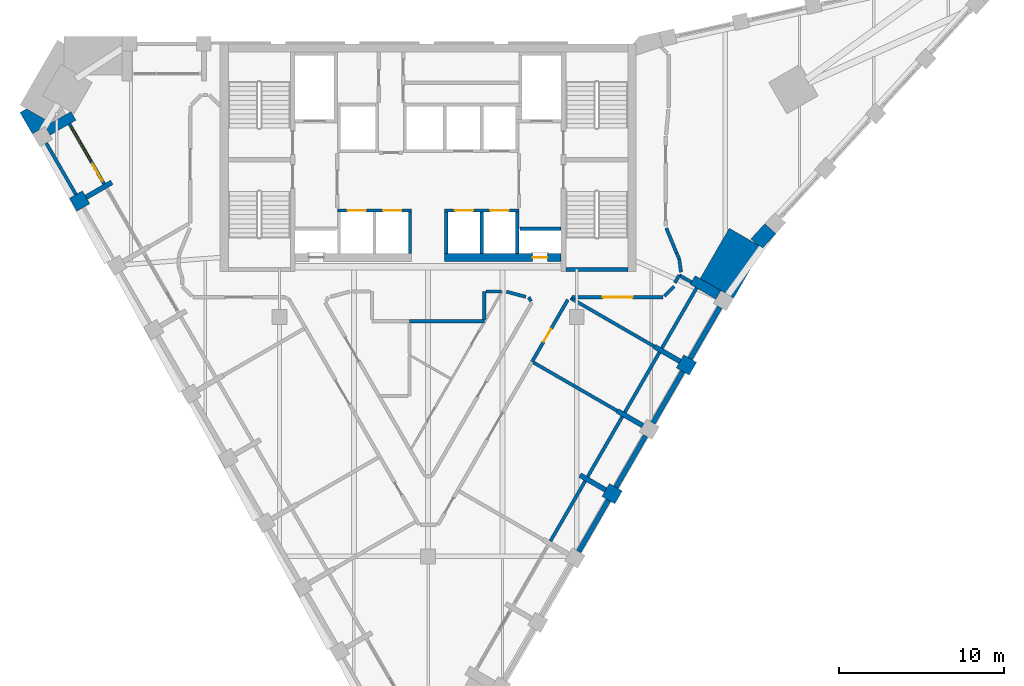
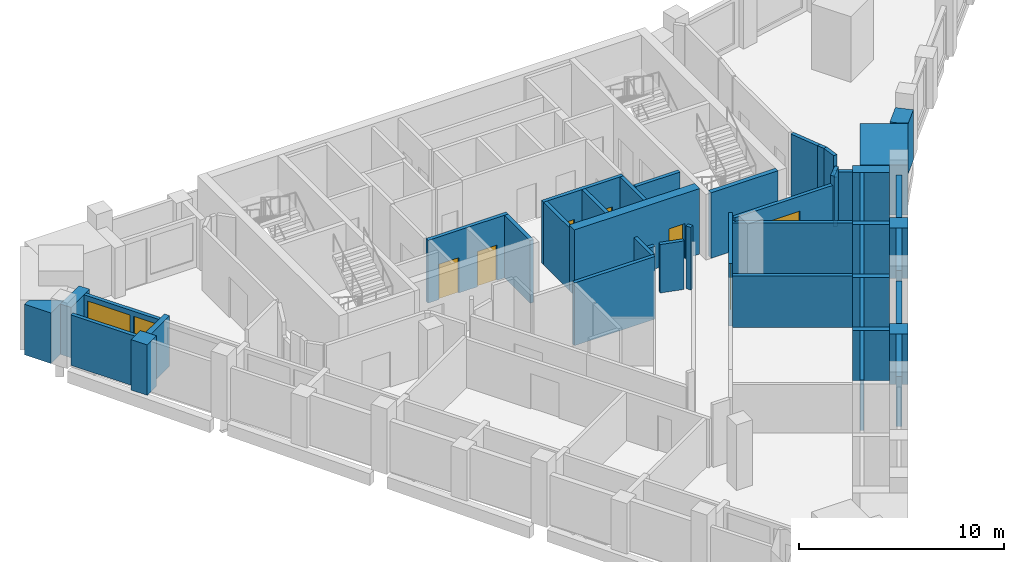
# One storey, part 4 of 8: 46 walls, 8 doors, 1 window, 9 openings.
"""IFC4 building model written with IfcOpenShell, lengths in metres."""

from ifc_helpers import new_model, si_unit, direction, frame, frame_2d, origin, place, context, subcontext, project, spatial, polyline, rectangle, outline, extrude, material, layer, layer_set, type_object, element, fill, save


model = new_model("IFC4")

# Units and contexts
model_context = context("Model", 3, precision=1e-05, world=origin(), true_north=direction((0.0, 1.0)))
body_context = subcontext(model_context, "Body", "Model", "MODEL_VIEW")
ifc_project = project(units=[si_unit("LENGTHUNIT", "METRE"), si_unit("AREAUNIT", "SQUARE_METRE"), si_unit("VOLUMEUNIT", "CUBIC_METRE"), si_unit("PLANEANGLEUNIT", "RADIAN"), si_unit("MASSUNIT", "GRAM", prefix="KILO")], contexts=[model_context])

# Site, building, storey
site_placement = place(None, origin())
site = spatial("IfcSite", under=ifc_project, at=site_placement, CompositionType="ELEMENT")
building_placement = place(site_placement, origin())
building = spatial("IfcBuilding", under=site, at=building_placement, Name="Calabash Gate Tower", CompositionType="ELEMENT")
storey_placement = place(building_placement, frame((0.0, 0.0, 259.89990234375)))
storey = spatial("IfcBuildingStorey", under=building, at=storey_placement, Name="L62", CompositionType="ELEMENT", Elevation=259.89990234375)

# Walls
ifc_material_1 = material(Name="Terracotta brick masonry, exposed face", Category="masonry")
ifc_layer_1 = layer(ifc_material_1, 2.35009765625)
ifc_layer_set_1 = layer_set([ifc_layer_1], Name="Brick corner mass wall 2350")
wall_type_1 = type_object("IfcWallType", Name="Brick corner mass wall 2350", PredefinedType="SOLIDWALL", material=ifc_layer_set_1)
wall_1_placement = place(storey_placement, origin())
element("IfcWall", 1, at=wall_1_placement, inside=storey, type_object=wall_type_1, Name="Brick corner pier S18 2", PredefinedType="SOLIDWALL", context=body_context, shape_type="SweptSolid", body=[
    extrude(outline(polyline([(18.236083984375, 7.878173828125), (16.47607421875, 4.829833984375), (18.51123046875, 3.65478515625), (20.271240234375, 6.703125), (18.236083984375, 7.878173828125)])), origin(), (0.0, 0.0, 1.0), 2.9736328125),
])
wall_2_placement = place(storey_placement, origin())
element("IfcWall", 2, at=wall_2_placement, inside=storey, type_object=wall_type_1, Name="Brick corner pier S18 3ca", PredefinedType="SOLIDWALL", context=body_context, shape_type="SweptSolid", body=[
    extrude(outline(polyline([(-23.974609375, 13.59375), (-23.1953125, 14.043701171875), (-23.195068359375, 14.043212890625), (-22.836669921875, 14.250244140625), (-24.33251953125, 15.11376953125), (-24.72216796875, 14.888916015625), (-23.974609375, 13.59375)])), origin(), (0.0, 0.0, 1.0), 3.0),
])
ifc_material_2 = material(Name="Terracotta brick masonry, exposed face", Category="masonry")
ifc_layer_2 = layer(ifc_material_2, 0.89990234375)
ifc_layer_set_2 = layer_set([ifc_layer_2], Name="Brick end wall 900")
wall_type_2 = type_object("IfcWallType", Name="Brick end wall 900", PredefinedType="SOLIDWALL", material=ifc_layer_set_2)
for number, where, z_axis, x_axis, name in (
    (3, (-21.33447265625, 9.921142578125, 0.0), (0.0, 0.0, 1.0), (0.50001992892, -0.866013897511, 0.0), "Brick pier S18 SW0.1"),
    (4, (10.92138671875, -8.5908203125, 0.0), (0.0, 0.0, 1.0), (0.500223362819, 0.865896406789, 0.0), "Brick pier S18 SE2.3"),
    (5, (15.2568359375, -0.181884765625, 0.0), (0.0, 0.0, 1.0), (0.865896406789, -0.500223362819, 0.0), "Brick pier S18 SE2.5"),
):
    element("IfcWall", number, at=place(storey_placement, frame(where, z_axis=z_axis, x_axis=x_axis)), inside=storey, type_object=wall_type_2, Name=name, PredefinedType="SOLIDWALL", context=body_context, shape_type="SweptSolid", body=[
        extrude(rectangle(XDim=0.89990234375, YDim=0.89990234375, at=frame_2d((0.449951171875, 0.0))), origin(), (0.0, 0.0, 1.0), 3.0),
    ])
wall_3_placement = place(storey_placement, origin())
element("IfcWall", 6, at=wall_3_placement, inside=storey, type_object=wall_type_2, Name="Brick end wall S18 1", PredefinedType="SOLIDWALL", context=body_context, shape_type="SweptSolid", body=[
    extrude(outline(polyline([(20.394775390625, 8.15625), (19.54931640625, 7.23193359375), (19.88134765625, 6.92822265625), (20.271240234375, 6.703125), (20.24658203125, 6.66064453125), (21.058837890625, 7.548828125), (20.394775390625, 8.15625)])), origin(), (0.0, 0.0, 1.0), 3.0),
])
ifc_material_3 = material(Name="Terracotta brick masonry, exposed face", Category="masonry")
ifc_layer_3 = layer(ifc_material_3, 0.300048828125)
ifc_layer_set_3 = layer_set([ifc_layer_3], Name="Brick infill panel wall 300")
wall_type_3 = type_object("IfcWallType", Name="Brick infill panel wall 300", PredefinedType="SOLIDWALL", material=ifc_layer_set_3)
for number, where, z_axis, x_axis, name in (
    (7, (9.12158203125, -11.708740234375, 0.0), (0.0, 0.0, 1.0), (0.499961193289, 0.866047807691, 0.0), "Brick panel S18 SE2.3"),
    (8, (11.37158203125, -7.8115234375, 0.0), (0.0, 0.0, 1.0), (0.499961193289, 0.866047807691, 0.0), "Brick panel S18 SE2.4"),
    (9, (13.62158203125, -3.914306640625, 0.0), (0.0, 0.0, 1.0), (0.499961193289, 0.866047807691, 0.0), "Brick panel S18 SE2.5"),
):
    element("IfcWall", number, at=place(storey_placement, frame(where, z_axis=z_axis, x_axis=x_axis)), inside=storey, type_object=wall_type_3, Name=name, PredefinedType="SOLIDWALL", context=body_context, shape_type="SweptSolid", body=[
        extrude(rectangle(XDim=3.599853515625, YDim=0.300048828125, at=frame_2d((1.7998046875, 0.0))), origin(), (0.0, 0.0, 1.0), 3.0),
    ])
wall_4_placement = place(storey_placement, frame((15.87158203125, -0.017333984375, 0.0), z_axis=(0.0, 0.0, 1.0), x_axis=(0.499990559667, 0.866030854095, 0.0)))
element("IfcWall", 10, at=wall_4_placement, inside=storey, type_object=wall_type_3, Name="Brick panel S18 SE2.6", PredefinedType="SOLIDWALL", context=body_context, shape_type="SweptSolid", body=[
    extrude(rectangle(XDim=3.599609375, YDim=0.300048828125, at=frame_2d((1.7998046875, 0.0))), origin(), (0.0, 0.0, 1.0), 3.0),
])
ifc_material_4 = material(Name="Terracotta brick masonry, exposed face", Category="masonry")
ifc_layer_4 = layer(ifc_material_4, 0.300048828125)
ifc_layer_set_4 = layer_set([ifc_layer_4], Name="Brick loggia cheek wall 300")
wall_type_4 = type_object("IfcWallType", Name="Brick loggia cheek wall 300", PredefinedType="SOLIDWALL", material=ifc_layer_set_4)
wall_5_placement = place(storey_placement, frame((-21.486083984375, 14.68359375, 0.0), z_axis=(0.0, 0.0, 1.0), x_axis=(-0.865989075817, -0.500062916607, 0.0)))
element("IfcWall", 11, at=wall_5_placement, inside=storey, type_object=wall_type_4, Name="Loggia cheek S18 SW0.0", PredefinedType="SOLIDWALL", context=body_context, shape_type="SweptSolid", body=[
    extrude(rectangle(XDim=1.800048828125, YDim=0.60009765625, at=frame_2d((0.89990234375, 0.0))), origin(), (0.0, 0.0, 1.0), 3.0),
])
for number, where, z_axis, x_axis, name in (
    (12, (-20.7197265625, 9.756591796875, 0.0), (0.0, 0.0, 1.0), (0.866047807691, 0.499961193289, 0.0), "Loggia cheek S18 SW0.1"),
    (13, (10.7568359375, -7.976318359375, 0.0), (0.0, 0.0, 1.0), (-0.865989075817, 0.500062916607, 0.0), "Loggia cheek S18 SE2.3"),
):
    element("IfcWall", number, at=place(storey_placement, frame(where, z_axis=z_axis, x_axis=x_axis)), inside=storey, type_object=wall_type_4, Name=name, PredefinedType="SOLIDWALL", context=body_context, shape_type="SweptSolid", body=[
        extrude(rectangle(XDim=1.800048828125, YDim=0.300048828125, at=frame_2d((0.89990234375, 0.0))), origin(), (0.0, 0.0, 1.0), 3.0),
    ])
wall_6_placement = place(storey_placement, frame((13.00634765625, -4.078857421875, 0.0), z_axis=(0.0, 0.0, 1.0), x_axis=(-0.866038726271, 0.499976924066, 0.0)))
element("IfcWall", 14, at=wall_6_placement, inside=storey, type_object=wall_type_4, Name="Loggia cheek S18 SE2.4", PredefinedType="SOLIDWALL", context=body_context, shape_type="SweptSolid", body=[
    extrude(rectangle(XDim=1.79931640625, YDim=0.300048828125, at=frame_2d((0.899658203125, 0.0))), origin(), (0.0, 0.0, 1.0), 3.0),
])
wall_7_placement = place(storey_placement, frame((15.2568359375, -0.181884765625, 0.0), z_axis=(0.0, 0.0, 1.0), x_axis=(-0.866047807691, 0.499961193289, 0.0)))
element("IfcWall", 15, at=wall_7_placement, inside=storey, type_object=wall_type_4, Name="Loggia cheek S18 SE2.5", PredefinedType="SOLIDWALL", context=body_context, shape_type="SweptSolid", body=[
    extrude(rectangle(XDim=1.800048828125, YDim=0.300048828125, at=frame_2d((0.89990234375, 0.0))), origin(), (0.0, 0.0, 1.0), 3.0),
])
wall_8_placement = place(storey_placement, frame((16.02294921875, 4.7451171875, 0.0), z_axis=(0.0, 0.0, 1.0), x_axis=(0.865989075817, -0.500062916607, 0.0)))
element("IfcWall", 16, at=wall_8_placement, inside=storey, type_object=wall_type_4, Name="Loggia cheek S18 SE2.6", PredefinedType="SOLIDWALL", context=body_context, shape_type="SweptSolid", body=[
    extrude(rectangle(XDim=1.800048828125, YDim=0.60009765625, at=frame_2d((0.89990234375, 0.0))), origin(), (0.0, 0.0, 1.0), 2.9501953125),
])
ifc_material_5 = material(Name="Concrete C60/75", Category="concrete")
ifc_layer_5 = layer(ifc_material_5, 0.25)
ifc_layer_set_5 = layer_set([ifc_layer_5], Name="Core wall 250 Concrete C60/75")
wall_type_5 = type_object("IfcWallType", Name="Core wall 250 Concrete C60/75", PredefinedType="SHEAR", material=ifc_layer_set_5)
wall_9_placement = place(storey_placement, frame((8.35009765625, 5.377685546875, 0.0), z_axis=(0.0, 0.0, 1.0), x_axis=(1.0, 0.0, 0.0)))
element("IfcWall", 17, at=wall_9_placement, inside=storey, type_object=wall_type_5, Name="Core wall Z5-SSE L62", PredefinedType="SHEAR", context=body_context, shape_type="SweptSolid", body=[
    extrude(rectangle(XDim=3.75, YDim=0.25, at=frame_2d((1.875, 0.0))), origin(), (0.0, 0.0, 1.0), 3.900146484375),
])

# Wall, opening, door
ifc_material_6 = material(Name="Concrete C60/75", Category="concrete")
ifc_layer_6 = layer(ifc_material_6, 0.5)
ifc_layer_set_6 = layer_set([ifc_layer_6], Name="Core wall 500 Concrete C60/75")
wall_type_6 = type_object("IfcWallType", Name="Core wall 500 Concrete C60/75", PredefinedType="SHEAR", material=ifc_layer_set_6)
wall_10_placement = place(storey_placement, frame((1.0, 6.1025390625, 0.0), z_axis=(0.0, 0.0, 1.0), x_axis=(1.0, 0.0, 0.0)))
wall_10 = element("IfcWall", 18, at=wall_10_placement, inside=storey, type_object=wall_type_6, Name="Core wall Z5-SB L62", PredefinedType="SHEAR", context=body_context, shape_type="SweptSolid", body=[
    extrude(rectangle(XDim=7.050048828125, YDim=0.5, at=frame_2d((3.52490234375, 0.0))), origin(), (0.0, 0.0, 1.0), 3.900146484375),
])
opening_1_placement = place(wall_10_placement, frame((5.324951171875, 0.0, 0.0)))
opening_1 = element("IfcOpeningElement", 19, at=opening_1_placement, cuts=wall_10, Name="Opening O10-007", PredefinedType="OPENING", context=body_context, shape_type="SweptSolid", body=[
    extrude(rectangle(XDim=0.89990234375, YDim=2.10009765625, at=frame_2d((0.449951171875, 1.050048828125))), frame((0.0, 0.260009765625, 0.0), z_axis=(0.0, -1.0, 0.0), x_axis=(1.0, 0.0, 0.0)), (0.0, 0.0, 1.0), 0.52001953125),
])
ifc_material_7 = material(Name="Steel fire door set with fire-resisting glazing", Category="steel")
door_type_1 = type_object("IfcDoorType", Name="Fire door D07 900x2100 FD90", OperationType="NOTDEFINED", PredefinedType="DOOR", material=ifc_material_7)
door_1_placement = place(opening_1_placement, origin())
door_1 = element("IfcDoor", 20, at=door_1_placement, inside=storey, type_object=door_type_1, Name="Mechanical Riser E door", OperationType="SINGLE_SWING_RIGHT", OverallHeight=2.10009765625, OverallWidth=0.89990234375, PredefinedType="DOOR", context=body_context, shape_type="SweptSolid", body=[
    extrude(rectangle(XDim=0.89990234375, YDim=2.10009765625, at=frame_2d((0.449951171875, 1.050048828125))), frame((0.0, 0.02490234375, 0.0), z_axis=(0.0, -1.0, 0.0), x_axis=(1.0, 0.0, 0.0)), (0.0, 0.0, 1.0), 0.050048828125),
])
fill(opening_1, door_1)

# Wall
ifc_material_8 = material(Name="Gypsum board on steel studs, mineral wool", Category="steel")
ifc_layer_7 = layer(ifc_material_8, 0.199951171875)
ifc_layer_set_7 = layer_set([ifc_layer_7], Name="Partition 200 gypsum board EI 60")
wall_type_7 = type_object("IfcWallType", Name="Partition 200 gypsum board EI 60", PredefinedType="PARTITIONING", material=ifc_layer_set_7)
wall_11_placement = place(storey_placement, frame((6.3818359375, -0.25390625, 0.0), z_axis=(0.0, 0.0, 1.0), x_axis=(0.866018092707, -0.500012662943, 0.0)))
element("IfcWall", 21, at=wall_11_placement, inside=storey, type_object=wall_type_7, Name="Partition", PredefinedType="PARTITIONING", context=body_context, shape_type="SweptSolid", body=[
    extrude(rectangle(XDim=5.849853515625, YDim=0.199951171875, at=frame_2d((2.9248046875, 0.0))), origin(), (0.0, 0.0, 1.0), 3.052001953125),
])

# Wall, opening, door
wall_12_placement = place(storey_placement, frame((6.29541015625, -0.2041015625, 0.0), z_axis=(0.0, 0.0, 1.0), x_axis=(0.499964815505, 0.866045716609, 0.0)))
wall_12 = element("IfcWall", 22, at=wall_12_placement, inside=storey, type_object=wall_type_7, Name="Partition", PredefinedType="PARTITIONING", context=body_context, shape_type="SweptSolid", body=[
    extrude(rectangle(XDim=4.330810546875, YDim=0.199951171875, at=frame_2d((2.16552734375, 0.0))), origin(), (0.0, 0.0, 1.0), 3.72998046875),
])
opening_2_placement = place(wall_12_placement, frame((1.39697265625, 0.0, 0.0)))
opening_2 = element("IfcOpeningElement", 23, at=opening_2_placement, cuts=wall_12, Name="Opening 62-64-004", PredefinedType="OPENING", context=body_context, shape_type="SweptSolid", body=[
    extrude(rectangle(XDim=0.89990234375, YDim=2.10009765625, at=frame_2d((0.449951171875, 1.050048828125))), frame((0.0, 0.10986328125, 0.0), z_axis=(0.0, -1.0, 0.0), x_axis=(1.0, 0.0, 0.0)), (0.0, 0.0, 1.0), 0.219970703125),
])
ifc_material_9 = material(Name="Steel fire door set with fire-resisting glazing", Category="steel")
door_type_2 = type_object("IfcDoorType", Name="SD3 Store door 900x2100", OperationType="NOTDEFINED", PredefinedType="DOOR", material=ifc_material_9)
door_2_placement = place(opening_2_placement, origin())
door_2 = element("IfcDoor", 24, at=door_2_placement, inside=storey, type_object=door_type_2, Name="Store door", OperationType="SINGLE_SWING_RIGHT", OverallHeight=2.10009765625, OverallWidth=0.89990234375, PredefinedType="DOOR", context=body_context, shape_type="SweptSolid", body=[
    extrude(rectangle(XDim=0.89990234375, YDim=2.10009765625, at=frame_2d((0.449951171875, 1.050048828125))), frame((0.0, 0.02490234375, 0.0), z_axis=(0.0, -1.0, 0.0), x_axis=(1.0, 0.0, 0.0)), (0.0, 0.0, 1.0), 0.050048828125),
])
fill(opening_2, door_2)

# Walls
wall_13_placement = place(storey_placement, frame((-1.1259765625, 2.25048828125, 0.0), z_axis=(0.0, 0.0, 1.0), x_axis=(0.999999906884, 0.000431545973, 0.0)))
element("IfcWall", 25, at=wall_13_placement, inside=storey, type_object=wall_type_7, Name="Partition", PredefinedType="PARTITIONING", context=body_context, shape_type="SweptSolid", body=[
    extrude(rectangle(XDim=4.52587890625, YDim=0.199951171875, at=frame_2d((2.262939453125, 0.0))), origin(), (0.0, 0.0, 1.0), 3.72998046875),
])
wall_14_placement = place(storey_placement, frame((6.089599609375, 3.69970703125, 0.0), z_axis=(0.0, 0.0, 1.0), x_axis=(0.499973348067, -0.866040790738, 0.0)))
element("IfcWall", 26, at=wall_14_placement, inside=storey, type_object=wall_type_7, Name="Partition", PredefinedType="PARTITIONING", context=body_context, shape_type="SweptSolid", body=[
    extrude(rectangle(XDim=0.28076171875, YDim=0.199951171875, at=frame_2d((0.140380859375, 0.0))), origin(), (0.0, 0.0, 1.0), 3.72998046875),
])
wall_15_placement = place(storey_placement, frame((8.632080078125, 3.64501953125, 0.0), z_axis=(0.0, 0.0, 1.0), x_axis=(0.865909656502, -0.500200426606, 0.0)))
element("IfcWall", 27, at=wall_15_placement, inside=storey, type_object=wall_type_7, Name="Partition", PredefinedType="PARTITIONING", context=body_context, shape_type="SweptSolid", body=[
    extrude(rectangle(XDim=5.8505859375, YDim=0.199951171875, at=frame_2d((2.92529296875, 0.0))), origin(), (0.0, 0.0, 1.0), 3.052001953125),
])

# Wall, opening, door
wall_16_placement = place(storey_placement, frame((8.72607421875, 3.699462890625, 0.0), z_axis=(0.0, 0.0, 1.0), x_axis=(1.0, 0.0, 0.0)))
wall_16 = element("IfcWall", 28, at=wall_16_placement, inside=storey, type_object=wall_type_7, Name="Partition", PredefinedType="PARTITIONING", context=body_context, shape_type="SweptSolid", body=[
    extrude(rectangle(XDim=5.513916015625, YDim=0.199951171875, at=frame_2d((2.7568359375, 0.0))), origin(), (0.0, 0.0, 1.0), 3.2822265625),
])
opening_3_placement = place(wall_16_placement, frame((1.85693359375, 0.0, 0.0)))
opening_3 = element("IfcOpeningElement", 29, at=opening_3_placement, cuts=wall_16, Name="Opening 62-64-010", PredefinedType="OPENING", context=body_context, shape_type="SweptSolid", body=[
    extrude(rectangle(XDim=1.800048828125, YDim=2.39990234375, at=frame_2d((0.89990234375, 1.199951171875))), frame((0.0, 0.10986328125, 0.0), z_axis=(0.0, -1.0, 0.0), x_axis=(1.0, 0.0, 0.0)), (0.0, 0.0, 1.0), 0.219970703125),
])
ifc_material_10 = material(Name="Steel fire door set with fire-resisting glazing", Category="steel")
door_type_3 = type_object("IfcDoorType", Name="OD5 Open office double door 1800x2400", OperationType="NOTDEFINED", PredefinedType="DOOR", material=ifc_material_10)
door_3_placement = place(opening_3_placement, origin())
door_3 = element("IfcDoor", 30, at=door_3_placement, inside=storey, type_object=door_type_3, Name="Open office double door", OperationType="DOUBLE_DOOR_SINGLE_SWING", OverallHeight=2.39990234375, OverallWidth=1.800048828125, PredefinedType="DOOR", context=body_context, shape_type="SweptSolid", body=[
    extrude(rectangle(XDim=1.800048828125, YDim=2.39990234375, at=frame_2d((0.89990234375, 1.199951171875))), frame((0.0, 0.02490234375, 0.0), z_axis=(0.0, -1.0, 0.0), x_axis=(1.0, 0.0, 0.0)), (0.0, 0.0, 1.0), 0.050048828125),
])
fill(opening_3, door_3)

# Walls
wall_17_placement = place(storey_placement, frame((4.7421875, 4.041015625, 0.0), z_axis=(0.0, 0.0, 1.0), x_axis=(0.965129144807, -0.261774203931, 0.0)))
element("IfcWall", 31, at=wall_17_placement, inside=storey, type_object=wall_type_7, Name="Partition", PredefinedType="PARTITIONING", context=body_context, shape_type="SweptSolid", body=[
    extrude(rectangle(XDim=1.21533203125, YDim=0.199951171875, at=frame_2d((0.607666015625, 0.0))), origin(), (0.0, 0.0, 1.0), 2.88427734375),
])
wall_18_placement = place(storey_placement, frame((3.400146484375, 2.352294921875, 0.0), z_axis=(0.0, 0.0, 1.0), x_axis=(0.001150085496, 0.999999338651, 0.0)))
element("IfcWall", 32, at=wall_18_placement, inside=storey, type_object=wall_type_7, Name="Partition", PredefinedType="PARTITIONING", context=body_context, shape_type="SweptSolid", body=[
    extrude(rectangle(XDim=1.6982421875, YDim=0.199951171875, at=frame_2d((0.84912109375, 0.0))), origin(), (0.0, 0.0, 1.0), 3.72998046875),
])
wall_19_placement = place(storey_placement, frame((3.501953125, 4.050537109375, 0.0), z_axis=(0.0, 0.0, 1.0), x_axis=(1.0, 0.0, 0.0)))
element("IfcWall", 33, at=wall_19_placement, inside=storey, type_object=wall_type_7, Name="Partition", PredefinedType="PARTITIONING", context=body_context, shape_type="SweptSolid", body=[
    extrude(rectangle(XDim=0.927001953125, YDim=0.199951171875, at=frame_2d((0.46337890625, 0.0))), origin(), (0.0, 0.0, 1.0), 2.88427734375),
])
wall_20_placement = place(storey_placement, frame((14.310791015625, 3.770263671875, 0.0), z_axis=(0.0, 0.0, 1.0), x_axis=(0.707253195258, 0.706960336792, 0.0)))
element("IfcWall", 34, at=wall_20_placement, inside=storey, type_object=wall_type_7, Name="Partition", PredefinedType="PARTITIONING", context=body_context, shape_type="SweptSolid", body=[
    extrude(rectangle(XDim=0.833740234375, YDim=0.199951171875, at=frame_2d((0.4169921875, 0.0))), origin(), (0.0, 0.0, 1.0), 3.72998046875),
])
wall_21_placement = place(storey_placement, frame((14.94384765625, 4.5751953125, 0.0), z_axis=(0.0, 0.0, 1.0), x_axis=(0.500209224752, 0.865904574115, 0.0)))
element("IfcWall", 35, at=wall_21_placement, inside=storey, type_object=wall_type_7, Name="Partition", PredefinedType="PARTITIONING", context=body_context, shape_type="SweptSolid", body=[
    extrude(rectangle(XDim=0.535400390625, YDim=0.199951171875, at=frame_2d((0.267578125, 0.0))), origin(), (0.0, 0.0, 1.0), 2.9501953125),
])
wall_22_placement = place(storey_placement, frame((15.211181640625, 5.0380859375, 0.0), z_axis=(0.0, 0.0, 1.0), x_axis=(0.867126672162, -0.498087677447, 0.0)))
element("IfcWall", 36, at=wall_22_placement, inside=storey, type_object=wall_type_7, Name="Partition", PredefinedType="PARTITIONING", context=body_context, shape_type="SweptSolid", body=[
    extrude(rectangle(XDim=0.849365234375, YDim=0.199951171875, at=frame_2d((0.4248046875, 0.0))), origin(), (0.0, 0.0, 1.0), 2.9501953125),
])
wall_23_placement = place(storey_placement, frame((15.210693359375, 6.015869140625, 0.0), z_axis=(0.0, 0.0, 1.0), x_axis=(0.130572336197, -0.991438785312, 0.0)))
element("IfcWall", 37, at=wall_23_placement, inside=storey, type_object=wall_type_7, Name="Partition", PredefinedType="PARTITIONING", context=body_context, shape_type="SweptSolid", body=[
    extrude(rectangle(XDim=0.803955078125, YDim=0.199951171875, at=frame_2d((0.40185546875, 0.0))), origin(), (0.0, 0.0, 1.0), 3.72998046875),
])
wall_24_placement = place(storey_placement, frame((15.05078125, 6.37353515625, 0.0), z_axis=(0.0, 0.0, 1.0), x_axis=(0.408161090952, -0.912909920985, 0.0)))
element("IfcWall", 38, at=wall_24_placement, inside=storey, type_object=wall_type_7, Name="Partition", PredefinedType="PARTITIONING", context=body_context, shape_type="SweptSolid", body=[
    extrude(rectangle(XDim=0.391845703125, YDim=0.199951171875, at=frame_2d((0.19580078125, 0.0))), origin(), (0.0, 0.0, 1.0), 3.72998046875),
])
wall_25_placement = place(storey_placement, frame((14.425048828125, 7.892822265625, 0.0), z_axis=(0.0, 0.0, 1.0), x_axis=(0.380824536343, -0.924647323318, 0.0)))
element("IfcWall", 39, at=wall_25_placement, inside=storey, type_object=wall_type_7, Name="Partition", PredefinedType="PARTITIONING", context=body_context, shape_type="SweptSolid", body=[
    extrude(rectangle(XDim=1.64306640625, YDim=0.199951171875, at=frame_2d((0.821533203125, 0.0))), origin(), (0.0, 0.0, 1.0), 3.72998046875),
])
ifc_material_11 = material(Name="Concrete C40/50", Category="concrete")
ifc_layer_8 = layer(ifc_material_11, 0.199951171875)
ifc_layer_set_8 = layer_set([ifc_layer_8], Name="Shaft wall 200 Concrete C40/50")
wall_type_8 = type_object("IfcWallType", Name="Shaft wall 200 Concrete C40/50", PredefinedType="SOLIDWALL", material=ifc_layer_set_8)
for number, where, z_axis, x_axis, name in (
    (40, (-1.10009765625, 6.3525390625, 0.0), (0.0, 0.0, 1.0), (0.0, 1.0, 0.0), "Shaft wall"),
    (41, (1.10009765625, 6.3525390625, 0.0), (0.0, 0.0, 1.0), (0.0, 1.0, 0.0), "Shaft wall"),
    (42, (3.25, 6.3525390625, 0.0), (0.0, 0.0, 1.0), (0.0, 1.0, 0.0), "Shaft wall"),
    (43, (5.39990234375, 6.3525390625, 0.0), (0.0, 0.0, 1.0), (0.0, 1.0, 0.0), "Shaft wall"),
    (44, (5.550048828125, 7.8525390625, 0.0), (0.0, 0.0, 1.0), (1.0, 0.0, 0.0), "Shaft wall"),
):
    element("IfcWall", number, at=place(storey_placement, frame(where, z_axis=z_axis, x_axis=x_axis)), inside=storey, type_object=wall_type_8, Name=name, PredefinedType="SOLIDWALL", context=body_context, shape_type="SweptSolid", body=[
        extrude(rectangle(XDim=2.5, YDim=0.199951171875, at=frame_2d((1.25, 0.0))), origin(), (0.0, 0.0, 1.0), 3.72998046875),
    ])

# Wall, openings, doors
wall_26_placement = place(storey_placement, frame((-5.5, 8.95263671875, 0.0), z_axis=(0.0, 0.0, 1.0), x_axis=(1.0, 0.0, 0.0)))
wall_26 = element("IfcWall", 45, at=wall_26_placement, inside=storey, type_object=wall_type_8, Name="Shaft wall", PredefinedType="SOLIDWALL", context=body_context, shape_type="SweptSolid", body=[
    extrude(rectangle(XDim=4.5, YDim=0.199951171875, at=frame_2d((2.25, 0.0))), origin(), (0.0, 0.0, 1.0), 3.72998046875),
])
opening_4_placement = place(wall_26_placement, frame((0.625, 0.0, 0.0)))
opening_4 = element("IfcOpeningElement", 46, at=opening_4_placement, cuts=wall_26, Name="Opening LD-HR1", PredefinedType="OPENING", context=body_context, shape_type="SweptSolid", body=[
    extrude(rectangle(XDim=1.10009765625, YDim=2.10009765625, at=frame_2d((0.550048828125, 1.050048828125))), frame((0.0, 0.10986328125, 0.0), z_axis=(0.0, -1.0, 0.0), x_axis=(1.0, 0.0, 0.0)), (0.0, 0.0, 1.0), 0.219970703125),
])
opening_5_placement = place(wall_26_placement, frame((2.77490234375, 0.0, 0.0)))
opening_5 = element("IfcOpeningElement", 47, at=opening_5_placement, cuts=wall_26, Name="Opening LD-HR2", PredefinedType="OPENING", context=body_context, shape_type="SweptSolid", body=[
    extrude(rectangle(XDim=1.10009765625, YDim=2.10009765625, at=frame_2d((0.550048828125, 1.050048828125))), frame((0.0, 0.10986328125, 0.0), z_axis=(0.0, -1.0, 0.0), x_axis=(1.0, 0.0, 0.0)), (0.0, 0.0, 1.0), 0.219970703125),
])
ifc_material_12 = material(Name="Stainless steel sliding door leaves", Category="steel")
door_type_4 = type_object("IfcDoorType", Name="Lift landing door LS1 1100x2100 FD90", OperationType="DOUBLE_DOOR_SLIDING", PredefinedType="DOOR", material=ifc_material_12)
door_4_placement = place(opening_4_placement, origin())
door_4 = element("IfcDoor", 48, at=door_4_placement, inside=storey, type_object=door_type_4, Name="Lift landing door HR1", OperationType="DOUBLE_DOOR_SLIDING", OverallHeight=2.10009765625, OverallWidth=1.10009765625, PredefinedType="DOOR", context=body_context, shape_type="SweptSolid", body=[
    extrude(rectangle(XDim=1.10009765625, YDim=2.10009765625, at=frame_2d((0.550048828125, 1.050048828125))), frame((0.0, 0.02490234375, 0.0), z_axis=(0.0, -1.0, 0.0), x_axis=(1.0, 0.0, 0.0)), (0.0, 0.0, 1.0), 0.050048828125),
])
fill(opening_4, door_4)
door_5_placement = place(opening_5_placement, origin())
door_5 = element("IfcDoor", 49, at=door_5_placement, inside=storey, type_object=door_type_4, Name="Lift landing door HR2", OperationType="DOUBLE_DOOR_SLIDING", OverallHeight=2.10009765625, OverallWidth=1.10009765625, PredefinedType="DOOR", context=body_context, shape_type="SweptSolid", body=[
    extrude(rectangle(XDim=1.10009765625, YDim=2.10009765625, at=frame_2d((0.550048828125, 1.050048828125))), frame((0.0, 0.02490234375, 0.0), z_axis=(0.0, -1.0, 0.0), x_axis=(1.0, 0.0, 0.0)), (0.0, 0.0, 1.0), 0.050048828125),
])
fill(opening_5, door_5)

wall_27_placement = place(storey_placement, frame((1.0, 8.95263671875, 0.0), z_axis=(0.0, 0.0, 1.0), x_axis=(1.0, 0.0, 0.0)))
wall_27 = element("IfcWall", 50, at=wall_27_placement, inside=storey, type_object=wall_type_8, Name="Shaft wall", PredefinedType="SOLIDWALL", context=body_context, shape_type="SweptSolid", body=[
    extrude(rectangle(XDim=4.5, YDim=0.199951171875, at=frame_2d((2.25, 0.0))), origin(), (0.0, 0.0, 1.0), 3.72998046875),
])
opening_6_placement = place(wall_27_placement, frame((0.625, 0.0, 0.0)))
opening_6 = element("IfcOpeningElement", 51, at=opening_6_placement, cuts=wall_27, Name="Opening LD-HR3", PredefinedType="OPENING", context=body_context, shape_type="SweptSolid", body=[
    extrude(rectangle(XDim=1.10009765625, YDim=2.10009765625, at=frame_2d((0.550048828125, 1.050048828125))), frame((0.0, 0.10986328125, 0.0), z_axis=(0.0, -1.0, 0.0), x_axis=(1.0, 0.0, 0.0)), (0.0, 0.0, 1.0), 0.219970703125),
])
opening_7_placement = place(wall_27_placement, frame((2.77490234375, 0.0, 0.0)))
opening_7 = element("IfcOpeningElement", 52, at=opening_7_placement, cuts=wall_27, Name="Opening LD-HR4", PredefinedType="OPENING", context=body_context, shape_type="SweptSolid", body=[
    extrude(rectangle(XDim=1.10009765625, YDim=2.10009765625, at=frame_2d((0.550048828125, 1.050048828125))), frame((0.0, 0.10986328125, 0.0), z_axis=(0.0, -1.0, 0.0), x_axis=(1.0, 0.0, 0.0)), (0.0, 0.0, 1.0), 0.219970703125),
])
door_6_placement = place(opening_6_placement, origin())
door_6 = element("IfcDoor", 53, at=door_6_placement, inside=storey, type_object=door_type_4, Name="Lift landing door HR3", OperationType="DOUBLE_DOOR_SLIDING", OverallHeight=2.10009765625, OverallWidth=1.10009765625, PredefinedType="DOOR", context=body_context, shape_type="SweptSolid", body=[
    extrude(rectangle(XDim=1.10009765625, YDim=2.10009765625, at=frame_2d((0.550048828125, 1.050048828125))), frame((0.0, 0.02490234375, 0.0), z_axis=(0.0, -1.0, 0.0), x_axis=(1.0, 0.0, 0.0)), (0.0, 0.0, 1.0), 0.050048828125),
])
fill(opening_6, door_6)
door_7_placement = place(opening_7_placement, origin())
door_7 = element("IfcDoor", 54, at=door_7_placement, inside=storey, type_object=door_type_4, Name="Lift landing door HR4", OperationType="DOUBLE_DOOR_SLIDING", OverallHeight=2.10009765625, OverallWidth=1.10009765625, PredefinedType="DOOR", context=body_context, shape_type="SweptSolid", body=[
    extrude(rectangle(XDim=1.10009765625, YDim=2.10009765625, at=frame_2d((0.550048828125, 1.050048828125))), frame((0.0, 0.02490234375, 0.0), z_axis=(0.0, -1.0, 0.0), x_axis=(1.0, 0.0, 0.0)), (0.0, 0.0, 1.0), 0.050048828125),
])
fill(opening_7, door_7)

# Wall
ifc_material_13 = material(Name="Terracotta brick masonry, perforated", Category="masonry")
ifc_layer_9 = layer(ifc_material_13, 0.199951171875)
ifc_layer_set_9 = layer_set([ifc_layer_9], Name="Terracotta jaali screen B")
wall_type_9 = type_object("IfcWallType", Name="Terracotta jaali screen B", PredefinedType="SOLIDWALL", material=ifc_layer_set_9)
wall_28_placement = place(storey_placement, frame((-23.134521484375, 13.038818359375, 0.0), z_axis=(0.0, 0.0, 1.0), x_axis=(0.500012057535, -0.866018442252, 0.0)))
element("IfcWall", 55, at=wall_28_placement, inside=storey, type_object=wall_type_9, Name="SCREEN B S18 SW0.1", PredefinedType="SOLIDWALL", context=body_context, shape_type="SweptSolid", body=[
    extrude(rectangle(XDim=3.60009765625, YDim=0.199951171875, at=frame_2d((1.800048828125, 0.0))), origin(), (0.0, 0.0, 1.0), 3.0),
])

# Wall, openings, door, window
ifc_material_14 = material(Name="Aluminium framed window wall with insulated spandrel", Category="aluminium")
ifc_layer_10 = layer(ifc_material_14, 0.199951171875)
ifc_layer_set_10 = layer_set([ifc_layer_10], Name="Window wall 200")
wall_type_10 = type_object("IfcWallType", Name="Window wall 200", PredefinedType="ELEMENTEDWALL", material=ifc_layer_set_10)
wall_29_placement = place(storey_placement, frame((-21.7255859375, 14.19873046875, 0.0), z_axis=(0.0, 0.0, 1.0), x_axis=(0.499958946799, -0.866049104564, 0.0)))
wall_29 = element("IfcWall", 56, at=wall_29_placement, inside=storey, type_object=wall_type_10, Name="Window wall S18 SW0.1", PredefinedType="ELEMENTEDWALL", context=body_context, shape_type="SweptSolid", body=[
    extrude(rectangle(XDim=4.199951171875, YDim=0.199951171875, at=frame_2d((2.10009765625, 0.0))), origin(), (0.0, 0.0, 1.0), 3.0),
])
opening_8_placement = place(wall_29_placement, frame((0.199951171875, 0.0, 0.449951171875)))
opening_8 = element("IfcOpeningElement", 57, at=opening_8_placement, cuts=wall_29, Name="Opening OW1", PredefinedType="OPENING", context=body_context, shape_type="SweptSolid", body=[
    extrude(rectangle(XDim=2.39990234375, YDim=2.25, at=frame_2d((1.199951171875, 1.125))), frame((0.0, 0.10986328125, 0.0), z_axis=(0.0, -1.0, 0.0), x_axis=(1.0, 0.0, 0.0)), (0.0, 0.0, 1.0), 0.219970703125),
])
opening_9_placement = place(wall_29_placement, frame((2.800048828125, 0.0, 0.0)))
opening_9 = element("IfcOpeningElement", 58, at=opening_9_placement, cuts=wall_29, Name="Opening O10-015", PredefinedType="OPENING", context=body_context, shape_type="SweptSolid", body=[
    extrude(rectangle(XDim=1.199951171875, YDim=2.699951171875, at=frame_2d((0.60009765625, 1.35009765625))), frame((0.0, 0.10986328125, 0.0), z_axis=(0.0, -1.0, 0.0), x_axis=(1.0, 0.0, 0.0)), (0.0, 0.0, 1.0), 0.219970703125),
])
ifc_material_15 = material(Name="Anodised aluminium frame, bronze finish, impact-rated laminated clear glazing", Category="aluminium")
door_type_5 = type_object("IfcDoorType", Name="Loggia door DO1 1200x2700", OperationType="SLIDING_TO_LEFT", PredefinedType="DOOR", material=ifc_material_15)
door_8_placement = place(opening_9_placement, origin())
door_8 = element("IfcDoor", 59, at=door_8_placement, inside=storey, type_object=door_type_5, Name="Loggia door S18 SW0.1", OperationType="SINGLE_SWING_LEFT", OverallHeight=2.699951171875, OverallWidth=1.199951171875, PredefinedType="DOOR", context=body_context, shape_type="SweptSolid", body=[
    extrude(rectangle(XDim=1.199951171875, YDim=2.699951171875, at=frame_2d((0.60009765625, 1.35009765625))), frame((0.0, 0.02490234375, 0.0), z_axis=(0.0, -1.0, 0.0), x_axis=(1.0, 0.0, 0.0)), (0.0, 0.0, 1.0), 0.050048828125),
])
fill(opening_9, door_8)
ifc_material_16 = material(Name="Anodised aluminium frame, bronze finish, impact-rated laminated clear glazing", Category="aluminium")
window_type = type_object("IfcWindowType", Name="Window OW1 2400x2250", PartitioningType="DOUBLE_PANEL_VERTICAL", PredefinedType="WINDOW", material=ifc_material_16)
window_placement = place(opening_8_placement, origin())
window = element("IfcWindow", 60, at=window_placement, inside=storey, type_object=window_type, Name="Window OW1 S18 SW0.1", OverallHeight=2.25, OverallWidth=2.39990234375, PartitioningType="SINGLE_PANEL", PredefinedType="WINDOW", context=body_context, shape_type="SweptSolid", body=[
    extrude(rectangle(XDim=2.39990234375, YDim=2.25, at=frame_2d((1.199951171875, 1.125))), frame((0.0, 0.030029296875, 0.0), z_axis=(0.0, -1.0, 0.0), x_axis=(1.0, 0.0, 0.0)), (0.0, 0.0, 1.0), 0.06005859375),
])
fill(opening_8, window)

# Walls
wall_30_placement = place(storey_placement, frame((7.41259765625, -11.068359375, 0.0), z_axis=(0.0, 0.0, 1.0), x_axis=(0.500027713859, 0.866009402589, 0.0)))
element("IfcWall", 61, at=wall_30_placement, inside=storey, type_object=wall_type_10, Name="Window wall S18 SE2.3", PredefinedType="ELEMENTEDWALL", context=body_context, shape_type="SweptSolid", body=[
    extrude(rectangle(XDim=4.199951171875, YDim=0.199951171875, at=frame_2d((2.10009765625, 0.0))), origin(), (0.0, 0.0, 1.0), 3.0),
])
wall_31_placement = place(storey_placement, frame((9.66259765625, -7.17138671875, 0.0), z_axis=(0.0, 0.0, 1.0), x_axis=(0.500002543286, 0.866023935413, 0.0)))
element("IfcWall", 62, at=wall_31_placement, inside=storey, type_object=wall_type_10, Name="Window wall S18 SE2.4", PredefinedType="ELEMENTEDWALL", context=body_context, shape_type="SweptSolid", body=[
    extrude(rectangle(XDim=4.2001953125, YDim=0.199951171875, at=frame_2d((2.10009765625, 0.0))), origin(), (0.0, 0.0, 1.0), 3.0),
])
wall_32_placement = place(storey_placement, frame((11.91259765625, -3.274169921875, 0.0), z_axis=(0.0, 0.0, 1.0), x_axis=(0.500027713859, 0.866009402589, 0.0)))
element("IfcWall", 63, at=wall_32_placement, inside=storey, type_object=wall_type_10, Name="Window wall S18 SE2.5", PredefinedType="ELEMENTEDWALL", context=body_context, shape_type="SweptSolid", body=[
    extrude(rectangle(XDim=4.199951171875, YDim=0.199951171875, at=frame_2d((2.10009765625, 0.0))), origin(), (0.0, 0.0, 1.0), 3.0),
])
wall_33_placement = place(storey_placement, frame((14.16259765625, 0.622802734375, 0.0), z_axis=(0.0, 0.0, 1.0), x_axis=(0.500002543286, 0.866023935413, 0.0)))
element("IfcWall", 64, at=wall_33_placement, inside=storey, type_object=wall_type_10, Name="Window wall S18 SE2.6", PredefinedType="ELEMENTEDWALL", context=body_context, shape_type="SweptSolid", body=[
    extrude(rectangle(XDim=4.2001953125, YDim=0.199951171875, at=frame_2d((2.10009765625, 0.0))), origin(), (0.0, 0.0, 1.0), 2.9501953125),
])

save(model, "model.ifc")
